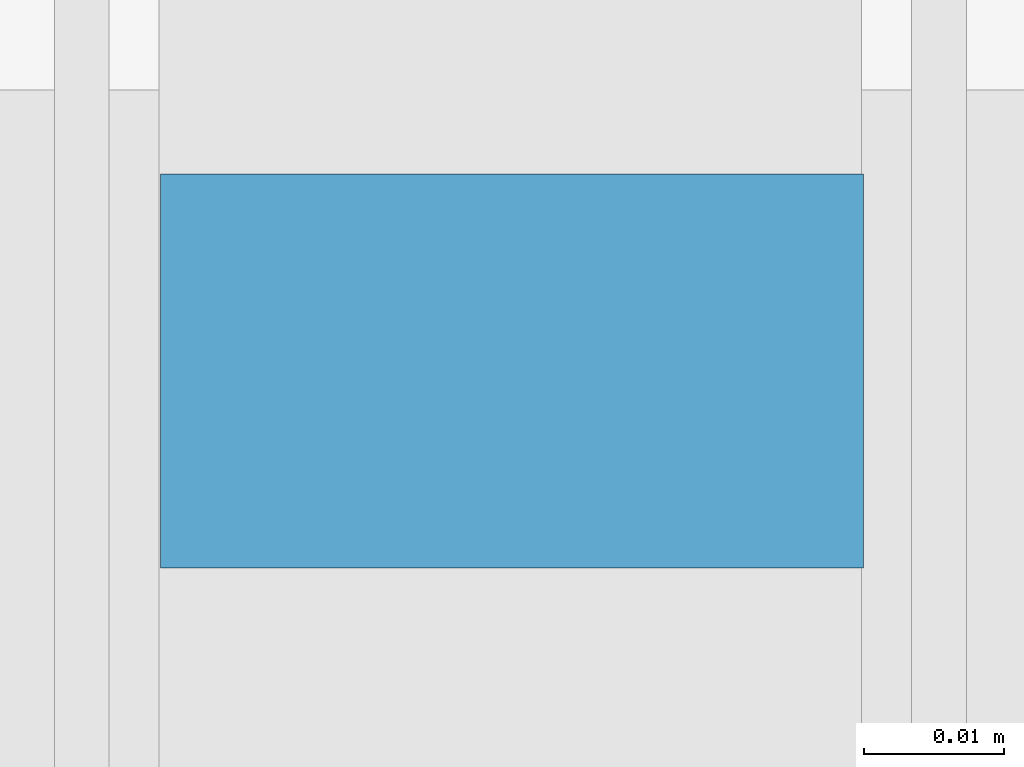
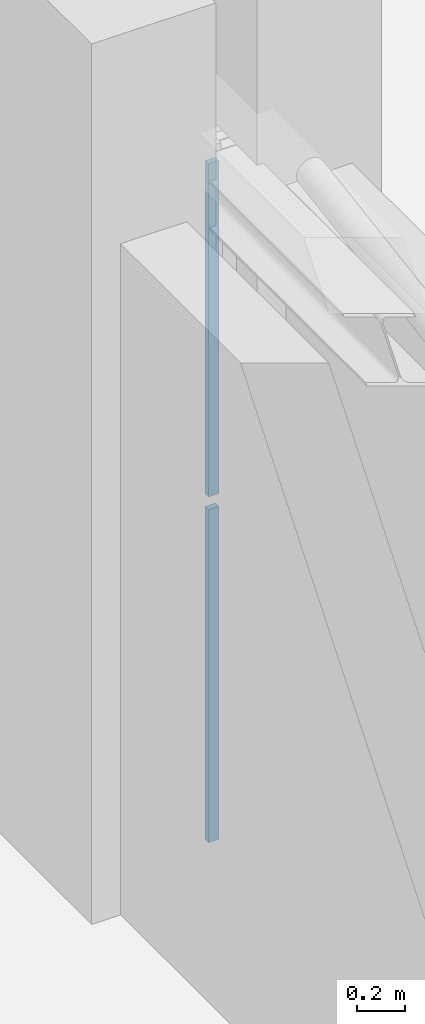
# One storey, part 95 of 137: 2 plates, 1 element without a shape of its own.
"""IFC4 building model written with IfcOpenShell, lengths in metres."""

from ifc_helpers import new_model, si_unit, direction, frame, origin, origin_2d, place, context, subcontext, project, spatial, rectangle, extrude, material, layer, layer_set, type_object, element, aggregate, save


model = new_model("IFC4")

# Units and contexts
model_context = context("Model", 3, precision=1e-05, world=origin(), true_north=direction((0.0, 1.0)))
body_context = subcontext(model_context, "Body", "Model", "MODEL_VIEW")
ifc_project = project(units=[si_unit("LENGTHUNIT", "METRE"), si_unit("AREAUNIT", "SQUARE_METRE"), si_unit("VOLUMEUNIT", "CUBIC_METRE"), si_unit("PLANEANGLEUNIT", "RADIAN"), si_unit("MASSUNIT", "GRAM", prefix="KILO")], contexts=[model_context])

# Site, building, storey
site_placement = place(None, origin())
site = spatial("IfcSite", under=ifc_project, at=site_placement, CompositionType="ELEMENT")
building_placement = place(site_placement, origin())
building = spatial("IfcBuilding", under=site, at=building_placement, Name="Xazarin Passage Department Store", CompositionType="ELEMENT")
storey_placement = place(building_placement, frame((0.0, 0.0, 5.39990234375)))
storey = spatial("IfcBuildingStorey", under=building, at=storey_placement, Name="L01", CompositionType="ELEMENT", Elevation=5.39990234375)

# Curtain wall, plates
ifc_material_1 = material(Name="Bronze anodised aluminium", Category="aluminium")
ifc_layer_1 = layer(ifc_material_1, 0.14990234375)
ifc_layer_set_1 = layer_set([ifc_layer_1], Name="Bronze anodised aluminium")
curtain_wall_type = type_object("IfcCurtainWallType", Name="ARC-CW-BRG1", PredefinedType="NOTDEFINED", material=ifc_layer_set_1)
curtain_wall_placement = place(storey_placement, origin())
curtain_wall = element("IfcCurtainWall", 1, at=curtain_wall_placement, inside=storey, type_object=curtain_wall_type, Name="L01 BR-V2S-V3 Bridge Curtain Wall 2", PredefinedType="NOTDEFINED")
ifc_material_2 = material(Name="Low-E laminated safety glass", Category="glass")
ifc_layer_2 = layer(ifc_material_2, 0.028076171875)
ifc_layer_set_2 = layer_set([ifc_layer_2], Name="Low-E laminated safety glass")
plate_type = type_object("IfcPlateType", Name="ARC-CWP-GLZ28", PredefinedType="CURTAIN_PANEL", material=ifc_layer_set_2)
plate_1_placement = place(storey_placement, frame((67.60009765625, 33.3798828125, 0.06494140625), z_axis=(0.0, 0.0, 1.0), x_axis=(1.0, 0.0, 0.0)))
plate_1 = element("IfcPlate", 2, at=plate_1_placement, type_object=plate_type, Name="CW7 panel 1.1", PredefinedType="CURTAIN_PANEL", context=body_context, shape_type="SweptSolid", body=[
    extrude(rectangle(XDim=0.050048828125, YDim=0.028076171875, at=origin_2d()), origin(), (0.0, 0.0, 1.0), 1.702392578125),
])
plate_2_placement = place(storey_placement, frame((67.60009765625, 33.3798828125, 1.83251953125), z_axis=(0.0, 0.0, 1.0), x_axis=(1.0, 0.0, 0.0)))
plate_2 = element("IfcPlate", 3, at=plate_2_placement, type_object=plate_type, Name="CW7 panel 1.2", PredefinedType="CURTAIN_PANEL", context=body_context, shape_type="SweptSolid", body=[
    extrude(rectangle(XDim=0.050048828125, YDim=0.028076171875, at=origin_2d()), origin(), (0.0, 0.0, 1.0), 1.702392578125),
])
aggregate(curtain_wall, [plate_1, plate_2])

save(model, "model.ifc")
